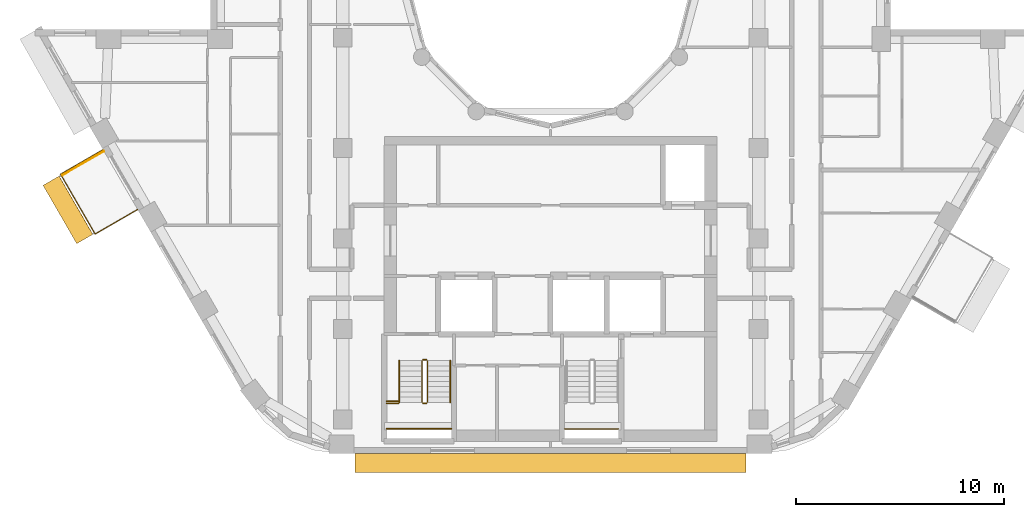
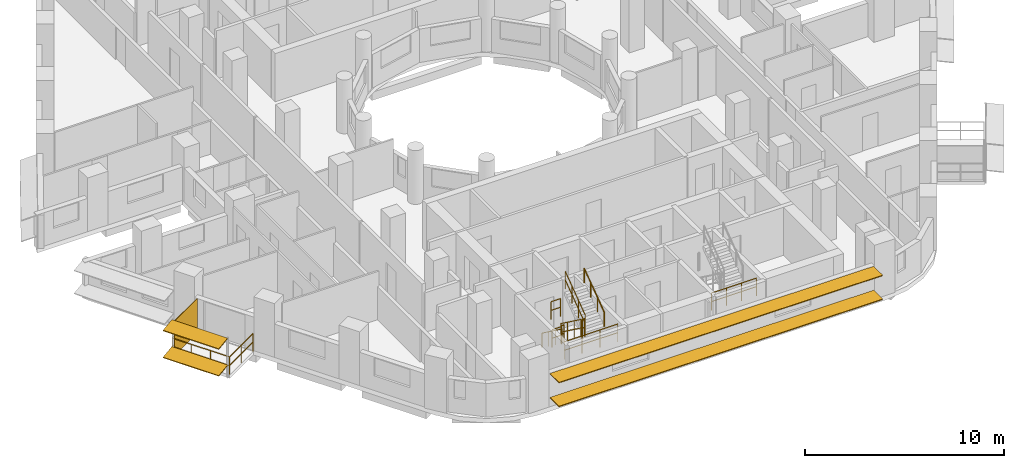
# One storey, part 12 of 15: 11 railings, 5 shading devices.
"""IFC4 building model written with IfcOpenShell, lengths in metres."""

from ifc_helpers import new_model, si_unit, direction, frame, origin, origin_2d, place, context, subcontext, project, spatial, rectangle, circle, extrude, material, layer, layer_set, material_profile, profile_set, type_object, element, save


model = new_model("IFC4")

# Units and contexts
model_context = context("Model", 3, precision=1e-05, world=origin(), true_north=direction((0.0, 1.0)))
body_context = subcontext(model_context, "Body", "Model", "MODEL_VIEW")
ifc_project = project(units=[si_unit("LENGTHUNIT", "METRE"), si_unit("AREAUNIT", "SQUARE_METRE"), si_unit("VOLUMEUNIT", "CUBIC_METRE"), si_unit("PLANEANGLEUNIT", "RADIAN"), si_unit("MASSUNIT", "GRAM", prefix="KILO")], contexts=[model_context])

# Site, building, storey
site_placement = place(None, origin())
site = spatial("IfcSite", under=ifc_project, at=site_placement, CompositionType="ELEMENT")
building_placement = place(site_placement, origin())
building = spatial("IfcBuilding", under=site, at=building_placement, Name="Nakaniwa Court", CompositionType="ELEMENT")
storey_placement = place(building_placement, frame((0.0, 0.0, 216.300048828125)))
storey = spatial("IfcBuildingStorey", under=building, at=storey_placement, Name="L57", CompositionType="ELEMENT", Elevation=216.300048828125)

# Railing
ifc_material_1 = material(Name="Black powder-coated steel flat bar balustrade S275", Category="steel")
railing_type_1 = type_object("IfcRailingType", Name="Black metal balcony guard 1100", PredefinedType="GUARDRAIL", material=ifc_material_1)
railing_1_placement = place(storey_placement, frame((58.4814453125, 71.97119140625, -0.050048828125)))
element("IfcRailing", 1, at=railing_1_placement, inside=storey, type_object=railing_type_1, Name="L57 balcony guard 01", PredefinedType="GUARDRAIL", context=body_context, shape_type="SweptSolid", body=[
    extrude(circle(Radius=0.02392578125, at=origin_2d()), frame((0.0, 0.0, 1.076171875), z_axis=(-0.866051224006, -0.499955275397, 0.0), x_axis=(0.499955275397, -0.866051224006, 0.0)), (0.0, 0.0, 1.0), 2.360107421875),
    extrude(circle(Radius=0.02392578125, at=origin_2d()), frame((0.0, 0.0, 0.550048828125), z_axis=(-0.866051224006, -0.499955275397, 0.0), x_axis=(0.499955275397, -0.866051224006, 0.0)), (0.0, 0.0, 1.0), 2.360107421875),
    extrude(circle(Radius=0.02392578125, at=origin_2d()), frame((-2.0439453125, -1.179931640625, 1.076171875), z_axis=(0.500015331954, -0.866016551696, 0.0), x_axis=(0.866016551696, 0.500015331954, 0.0)), (0.0, 0.0, 1.0), 3.3193359375),
    extrude(circle(Radius=0.02392578125, at=origin_2d()), frame((-2.0439453125, -1.179931640625, 0.550048828125), z_axis=(0.500015331954, -0.866016551696, 0.0), x_axis=(0.866016551696, 0.500015331954, 0.0)), (0.0, 0.0, 1.0), 3.3193359375),
    extrude(circle(Radius=0.02392578125, at=origin_2d()), frame((-0.38427734375, -4.054443359375, 1.076171875), z_axis=(0.866025363618, 0.50000006957, 0.0), x_axis=(-0.50000006957, 0.866025363618, 0.0)), (0.0, 0.0, 1.0), 2.35986328125),
    extrude(circle(Radius=0.02392578125, at=origin_2d()), frame((-0.38427734375, -4.054443359375, 0.550048828125), z_axis=(0.866025363618, 0.50000006957, 0.0), x_axis=(-0.50000006957, 0.866025363618, 0.0)), (0.0, 0.0, 1.0), 2.35986328125),
    extrude(circle(Radius=0.02099609375, at=origin_2d()), origin(), (0.0, 0.0, 1.0), 1.052001953125),
    extrude(circle(Radius=0.02099609375, at=origin_2d()), frame((-1.02197265625, -0.58984375, 0.0)), (0.0, 0.0, 1.0), 1.052001953125),
    extrude(circle(Radius=0.02099609375, at=origin_2d()), frame((-2.0439453125, -1.179931640625, 0.0)), (0.0, 0.0, 1.0), 1.052001953125),
    extrude(circle(Radius=0.02099609375, at=origin_2d()), frame((-1.49072265625, -2.13818359375, 0.0)), (0.0, 0.0, 1.0), 1.052001953125),
    extrude(circle(Radius=0.02099609375, at=origin_2d()), frame((-0.9375, -3.09619140625, 0.0)), (0.0, 0.0, 1.0), 1.052001953125),
    extrude(circle(Radius=0.02099609375, at=origin_2d()), frame((-0.38427734375, -4.054443359375, 0.0)), (0.0, 0.0, 1.0), 1.052001953125),
    extrude(circle(Radius=0.02099609375, at=origin_2d()), frame((0.6376953125, -3.46435546875, 0.0)), (0.0, 0.0, 1.0), 1.052001953125),
    extrude(circle(Radius=0.02099609375, at=origin_2d()), frame((1.659423828125, -2.87451171875, 0.0)), (0.0, 0.0, 1.0), 1.052001953125),
])

# Shading devices
ifc_material_2 = material(Name="Black powder-coated aluminium slat screen", Category="aluminium")
ifc_layer = layer(ifc_material_2, 0.0400390625)
ifc_layer_set = layer_set([ifc_layer], Name="Black powder-coated aluminium slat screen")
shading_device_type_1 = type_object("IfcShadingDeviceType", Name="Koshi screen black metal", PredefinedType="USERDEFINED", material=ifc_layer_set)
shading_device_placement = place(storey_placement, frame((57.521240234375, 71.324462890625, -0.050048828125), z_axis=(0.0, 0.0, 1.0), x_axis=(0.499986396443, -0.866033257659, 0.0)))
element("IfcShadingDevice", 2, at=shading_device_placement, inside=storey, type_object=shading_device_type_1, Name="L57 balcony SCREEN 01 W", ObjectType="KOSHI SCREEN", PredefinedType="USERDEFINED", context=body_context, shape_type="SweptSolid", body=[
    extrude(rectangle(XDim=0.0400390625, YDim=2.31005859375, at=origin_2d()), origin(), (0.0, 0.0, 1.0), 2.10009765625),
])
ifc_material_3 = material(Name="Perforated charcoal ceramic louvre blade")
ifc_material_profile = material_profile(ifc_material_3, rectangle(XDim=0.89990234375, YDim=0.050048828125, at=origin_2d()), Name="Perforated ceramic louvre blade")
ifc_profile_set = profile_set([ifc_material_profile], Name="Perforated charcoal ceramic louvre blade")
shading_device_type_2 = type_object("IfcShadingDeviceType", Name="Perforated ceramic louvre blade", PredefinedType="JALOUSIE", material=ifc_profile_set)
for number, where, z_axis, x_axis, name in (
    (3, (55.981689453125, 70.48193359375, 0.5), (0.500013872438, -0.86601739438, 0.0), (0.858608495519, 0.495736184445, 0.13052619222), "L57 perforated ceramic louvre blade 01 1"),
    (4, (55.981689453125, 70.48193359375, 2.14990234375), (0.500013872438, -0.86601739438, 0.0), (0.858608495519, 0.495736184445, 0.13052619222), "L57 perforated ceramic louvre blade 01 2"),
):
    element("IfcShadingDevice", number, at=place(storey_placement, frame(where, z_axis=z_axis, x_axis=x_axis)), inside=storey, type_object=shading_device_type_2, Name=name, PredefinedType="JALOUSIE", context=body_context, shape_type="SweptSolid", body=[
        extrude(rectangle(XDim=0.89990234375, YDim=0.050048828125, at=origin_2d()), origin(), (0.0, 0.0, 1.0), 3.2392578125),
    ])
for number, where, z_axis, x_axis, name in (
    (5, (70.6005859375, 56.89990234375, 0.550048828125), (1.0, 0.0, 0.0), (0.0, 1.0, 0.0), "L57 perforated ceramic louvre blade w26 1"),
    (6, (70.6005859375, 56.89990234375, 2.014892578125), (1.0, 0.0, 0.0), (0.0, 1.0, 0.0), "L57 perforated ceramic louvre blade w26 2"),
):
    element("IfcShadingDevice", number, at=place(storey_placement, frame(where, z_axis=z_axis, x_axis=x_axis)), inside=storey, type_object=shading_device_type_2, Name=name, PredefinedType="JALOUSIE", context=body_context, shape_type="SweptSolid", body=[
        extrude(rectangle(XDim=0.89990234375, YDim=0.050048828125, at=origin_2d()), origin(), (0.0, 0.0, 1.0), 18.79296875),
    ])

# Railings
ifc_material_4 = material(Name="Black powder coated steel guard", Category="steel")
railing_type_2 = type_object("IfcRailingType", Name="Stair guard 1100", PredefinedType="GUARDRAIL", material=ifc_material_4)
railing_2_placement = place(storey_placement, frame((73.824951171875, 61.824951171875, 0.183349609375)))
element("IfcRailing", 7, at=railing_2_placement, inside=storey, type_object=railing_type_2, Name="L57 ST3 stair guard 1", PredefinedType="GUARDRAIL", context=body_context, shape_type="SweptSolid", body=[
    extrude(circle(Radius=0.02392578125, at=origin_2d()), frame((0.0, 0.0, 1.076171875), z_axis=(0.0, -0.806426902644, 0.591333789573), x_axis=(1.0, 0.0, 0.0)), (0.0, 0.0, 1.0), 2.47998046875),
    extrude(circle(Radius=0.02392578125, at=origin_2d()), frame((0.0, 0.0, 0.550048828125), z_axis=(0.0, -0.806426902644, 0.591333789573), x_axis=(1.0, 0.0, 0.0)), (0.0, 0.0, 1.0), 2.47998046875),
    extrude(circle(Radius=0.02099609375, at=origin_2d()), origin(), (0.0, 0.0, 1.0), 1.052001953125),
    extrude(circle(Radius=0.02099609375, at=origin_2d()), frame((0.0, -0.666748046875, 0.48876953125)), (0.0, 0.0, 1.0), 1.052001953125),
    extrude(circle(Radius=0.02099609375, at=origin_2d()), frame((0.0, -1.333251953125, 0.977783203125)), (0.0, 0.0, 1.0), 1.052001953125),
    extrude(circle(Radius=0.02099609375, at=origin_2d()), frame((0.0, -2.0, 1.466552734375)), (0.0, 0.0, 1.0), 1.052001953125),
])
railing_3_placement = place(storey_placement, frame((73.875, 59.77490234375, 1.64990234375)))
element("IfcRailing", 8, at=railing_3_placement, inside=storey, type_object=railing_type_2, Name="L57 ST3 stair guard 2", PredefinedType="GUARDRAIL", context=body_context, shape_type="SweptSolid", body=[
    extrude(circle(Radius=0.02392578125, at=origin_2d()), frame((0.0, 0.0, 1.076171875), z_axis=(1.0, 0.0, 0.0), x_axis=(0.0, 1.0, 0.0)), (0.0, 0.0, 1.0), 0.14990234375),
    extrude(circle(Radius=0.02392578125, at=origin_2d()), frame((0.0, 0.0, 0.550048828125), z_axis=(1.0, 0.0, 0.0), x_axis=(0.0, 1.0, 0.0)), (0.0, 0.0, 1.0), 0.14990234375),
    extrude(circle(Radius=0.02099609375, at=origin_2d()), origin(), (0.0, 0.0, 1.0), 1.052001953125),
    extrude(circle(Radius=0.02099609375, at=origin_2d()), frame((0.14990234375, 0.0, 0.0)), (0.0, 0.0, 1.0), 1.052001953125),
])
railing_4_placement = place(storey_placement, frame((74.074951171875, 59.824951171875, 1.833251953125)))
element("IfcRailing", 9, at=railing_4_placement, inside=storey, type_object=railing_type_2, Name="L57 ST3 stair guard 3", PredefinedType="GUARDRAIL", context=body_context, shape_type="SweptSolid", body=[
    extrude(circle(Radius=0.02392578125, at=origin_2d()), frame((0.0, 0.0, 1.076171875), z_axis=(0.0, 0.806379959628, 0.591397802423), x_axis=(-1.0, 0.0, 0.0)), (0.0, 0.0, 1.0), 2.480224609375),
    extrude(circle(Radius=0.02392578125, at=origin_2d()), frame((0.0, 0.0, 0.550048828125), z_axis=(0.0, 0.806379959628, 0.591397802423), x_axis=(-1.0, 0.0, 0.0)), (0.0, 0.0, 1.0), 2.480224609375),
    extrude(circle(Radius=0.02099609375, at=origin_2d()), origin(), (0.0, 0.0, 1.0), 1.052001953125),
    extrude(circle(Radius=0.02099609375, at=origin_2d()), frame((0.0, 0.666748046875, 0.489013671875)), (0.0, 0.0, 1.0), 1.052001953125),
    extrude(circle(Radius=0.02099609375, at=origin_2d()), frame((0.0, 1.333251953125, 0.977783203125)), (0.0, 0.0, 1.0), 1.052001953125),
    extrude(circle(Radius=0.02099609375, at=origin_2d()), frame((0.0, 2.0, 1.466796875)), (0.0, 0.0, 1.0), 1.052001953125),
])
railing_5_placement = place(storey_placement, frame((73.875, 61.875, 0.0)))
element("IfcRailing", 10, at=railing_5_placement, inside=storey, type_object=railing_type_2, Name="L57 ST3 stair guard 4", PredefinedType="GUARDRAIL", context=body_context, shape_type="SweptSolid", body=[
    extrude(circle(Radius=0.02392578125, at=origin_2d()), frame((0.0, 0.0, 1.076171875), z_axis=(1.0, 0.0, 0.0), x_axis=(0.0, 1.0, 0.0)), (0.0, 0.0, 1.0), 0.14990234375),
    extrude(circle(Radius=0.02392578125, at=origin_2d()), frame((0.0, 0.0, 0.550048828125), z_axis=(1.0, 0.0, 0.0), x_axis=(0.0, 1.0, 0.0)), (0.0, 0.0, 1.0), 0.14990234375),
    extrude(circle(Radius=0.02099609375, at=origin_2d()), origin(), (0.0, 0.0, 1.0), 1.052001953125),
    extrude(circle(Radius=0.02099609375, at=origin_2d()), frame((0.14990234375, 0.0, 0.0)), (0.0, 0.0, 1.0), 1.052001953125),
])
railing_6_placement = place(storey_placement, frame((72.125, 58.550048828125, 1.64990234375)))
element("IfcRailing", 11, at=railing_6_placement, inside=storey, type_object=railing_type_2, Name="L57 ST3 landing end guard 1", PredefinedType="GUARDRAIL", context=body_context, shape_type="SweptSolid", body=[
    extrude(circle(Radius=0.02392578125, at=origin_2d()), frame((0.0, 0.0, 1.076171875), z_axis=(1.0, 0.0, 0.0), x_axis=(0.0, 1.0, 0.0)), (0.0, 0.0, 1.0), 3.10009765625),
    extrude(circle(Radius=0.02392578125, at=origin_2d()), frame((0.0, 0.0, 0.550048828125), z_axis=(1.0, 0.0, 0.0), x_axis=(0.0, 1.0, 0.0)), (0.0, 0.0, 1.0), 3.10009765625),
    extrude(circle(Radius=0.02099609375, at=origin_2d()), origin(), (0.0, 0.0, 1.0), 1.052001953125),
    extrude(circle(Radius=0.02099609375, at=origin_2d()), frame((1.033447265625, 0.0, 0.0)), (0.0, 0.0, 1.0), 1.052001953125),
    extrude(circle(Radius=0.02099609375, at=origin_2d()), frame((2.066650390625, 0.0, 0.0)), (0.0, 0.0, 1.0), 1.052001953125),
    extrude(circle(Radius=0.02099609375, at=origin_2d()), frame((3.10009765625, 0.0, 0.0)), (0.0, 0.0, 1.0), 1.052001953125),
])
for number, where, name in (
    (12, (72.125, 59.77490234375, 1.64990234375), "L57 ST3 landing side guard 1W"),
    (13, (72.125, 59.875, 3.300048828125), "L57 ST3 floor edge guard 1W"),
):
    element("IfcRailing", number, at=place(storey_placement, frame(where)), inside=storey, type_object=railing_type_2, Name=name, PredefinedType="GUARDRAIL", context=body_context, shape_type="SweptSolid", body=[
        extrude(circle(Radius=0.02392578125, at=origin_2d()), frame((0.0, 0.0, 1.076171875), z_axis=(1.0, 0.0, 0.0), x_axis=(0.0, 1.0, 0.0)), (0.0, 0.0, 1.0), 0.550048828125),
        extrude(circle(Radius=0.02392578125, at=origin_2d()), frame((0.0, 0.0, 0.550048828125), z_axis=(1.0, 0.0, 0.0), x_axis=(0.0, 1.0, 0.0)), (0.0, 0.0, 1.0), 0.550048828125),
        extrude(circle(Radius=0.02099609375, at=origin_2d()), origin(), (0.0, 0.0, 1.0), 1.052001953125),
        extrude(circle(Radius=0.02099609375, at=origin_2d()), frame((0.550048828125, 0.0, 0.0)), (0.0, 0.0, 1.0), 1.052001953125),
    ])
railing_7_placement = place(storey_placement, frame((80.675048828125, 58.550048828125, 1.64990234375)))
element("IfcRailing", 14, at=railing_7_placement, inside=storey, type_object=railing_type_2, Name="L57 ST4 landing end guard 1", PredefinedType="GUARDRAIL", context=body_context, shape_type="SweptSolid", body=[
    extrude(circle(Radius=0.02392578125, at=origin_2d()), frame((0.0, 0.0, 1.076171875), z_axis=(1.0, 0.0, 0.0), x_axis=(0.0, 1.0, 0.0)), (0.0, 0.0, 1.0), 2.599853515625),
    extrude(circle(Radius=0.02392578125, at=origin_2d()), frame((0.0, 0.0, 0.550048828125), z_axis=(1.0, 0.0, 0.0), x_axis=(0.0, 1.0, 0.0)), (0.0, 0.0, 1.0), 2.599853515625),
    extrude(circle(Radius=0.02099609375, at=origin_2d()), origin(), (0.0, 0.0, 1.0), 1.052001953125),
    extrude(circle(Radius=0.02099609375, at=origin_2d()), frame((0.86669921875, 0.0, 0.0)), (0.0, 0.0, 1.0), 1.052001953125),
    extrude(circle(Radius=0.02099609375, at=origin_2d()), frame((1.733154296875, 0.0, 0.0)), (0.0, 0.0, 1.0), 1.052001953125),
    extrude(circle(Radius=0.02099609375, at=origin_2d()), frame((2.599853515625, 0.0, 0.0)), (0.0, 0.0, 1.0), 1.052001953125),
])
ifc_material_5 = material(Name="Black powder coated steel handrail", Category="steel")
railing_type_3 = type_object("IfcRailingType", Name="Stair handrail 900", PredefinedType="HANDRAIL", material=ifc_material_5)
railing_8_placement = place(storey_placement, frame((72.72509765625, 61.824951171875, 0.183349609375)))
element("IfcRailing", 15, at=railing_8_placement, inside=storey, type_object=railing_type_3, Name="L57 ST3 stair handrail 1", PredefinedType="HANDRAIL", context=body_context, shape_type="SweptSolid", body=[
    extrude(circle(Radius=0.02392578125, at=origin_2d()), frame((0.0, 0.0, 0.8759765625), z_axis=(0.0, -0.806426902644, 0.591333789573), x_axis=(1.0, 0.0, 0.0)), (0.0, 0.0, 1.0), 2.47998046875),
    extrude(circle(Radius=0.02099609375, at=origin_2d()), origin(), (0.0, 0.0, 1.0), 0.851806640625),
    extrude(circle(Radius=0.02099609375, at=origin_2d()), frame((0.0, -0.666748046875, 0.48876953125)), (0.0, 0.0, 1.0), 0.851806640625),
    extrude(circle(Radius=0.02099609375, at=origin_2d()), frame((0.0, -1.333251953125, 0.977783203125)), (0.0, 0.0, 1.0), 0.851806640625),
    extrude(circle(Radius=0.02099609375, at=origin_2d()), frame((0.0, -2.0, 1.466552734375)), (0.0, 0.0, 1.0), 0.851806640625),
])
railing_9_placement = place(storey_placement, frame((75.175048828125, 59.824951171875, 1.833251953125)))
element("IfcRailing", 16, at=railing_9_placement, inside=storey, type_object=railing_type_3, Name="L57 ST3 stair handrail 2", PredefinedType="HANDRAIL", context=body_context, shape_type="SweptSolid", body=[
    extrude(circle(Radius=0.02392578125, at=origin_2d()), frame((0.0, 0.0, 0.8759765625), z_axis=(0.0, 0.806379959628, 0.591397802423), x_axis=(-1.0, 0.0, 0.0)), (0.0, 0.0, 1.0), 2.480224609375),
    extrude(circle(Radius=0.02099609375, at=origin_2d()), origin(), (0.0, 0.0, 1.0), 0.851806640625),
    extrude(circle(Radius=0.02099609375, at=origin_2d()), frame((0.0, 0.666748046875, 0.489013671875)), (0.0, 0.0, 1.0), 0.851806640625),
    extrude(circle(Radius=0.02099609375, at=origin_2d()), frame((0.0, 1.333251953125, 0.977783203125)), (0.0, 0.0, 1.0), 0.851806640625),
    extrude(circle(Radius=0.02099609375, at=origin_2d()), frame((0.0, 2.0, 1.466796875)), (0.0, 0.0, 1.0), 0.851806640625),
])

save(model, "model.ifc")
